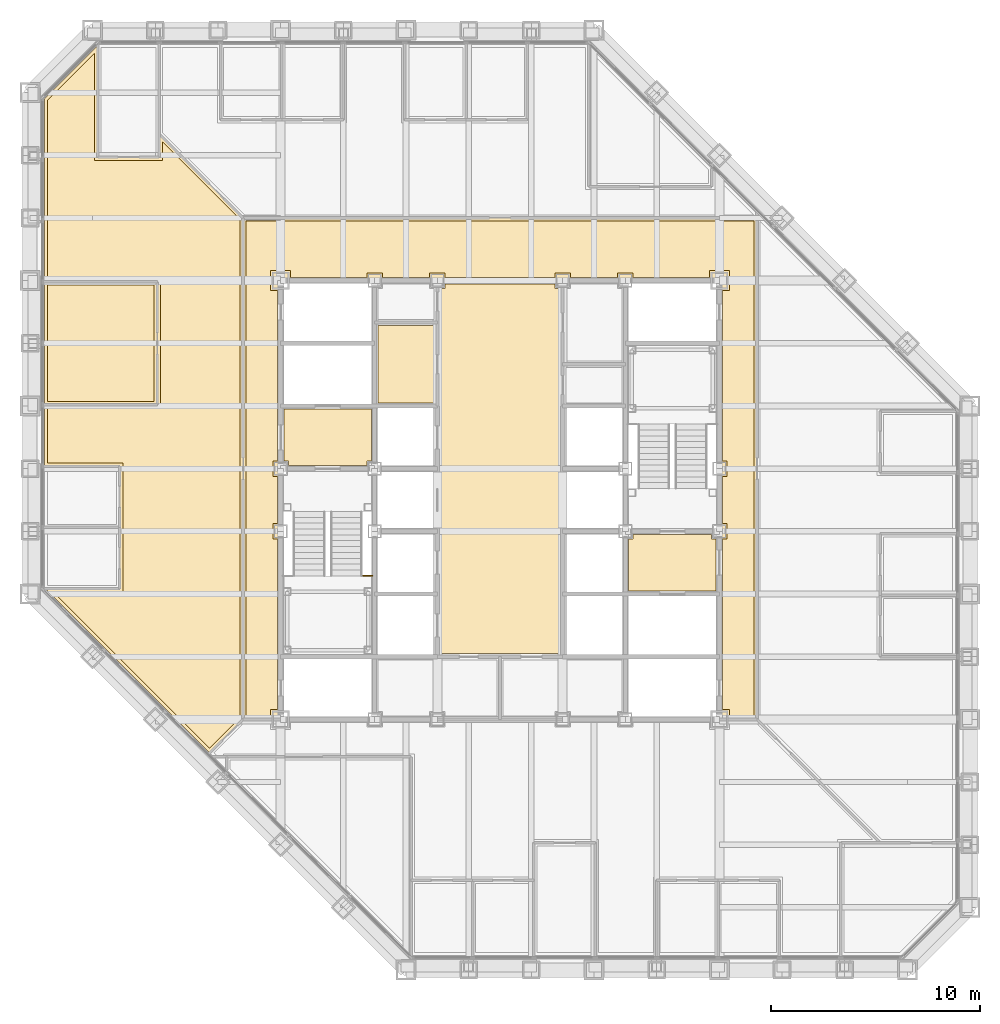
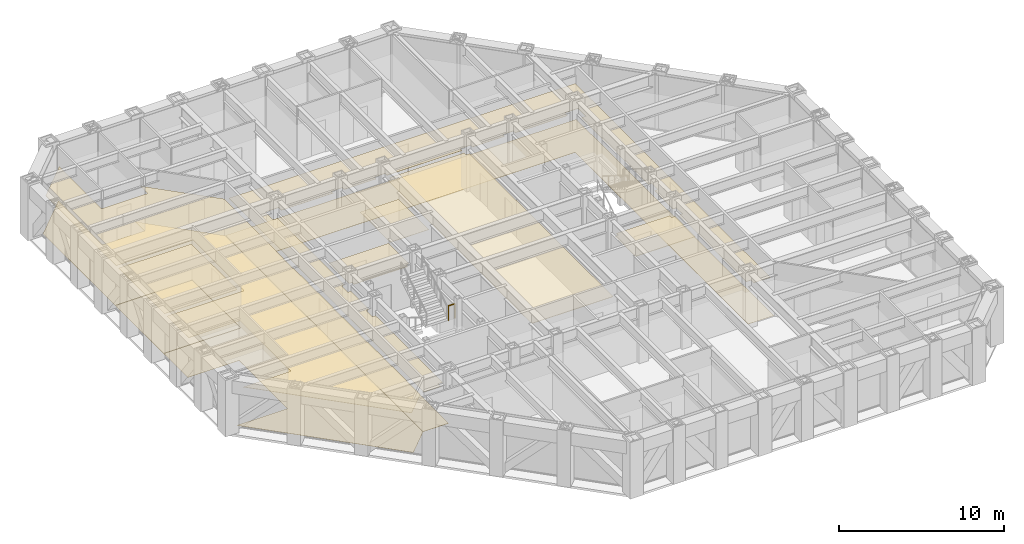
# One storey, part 15 of 17: 10 coverings, 1 railing.
"""IFC4 building model written with IfcOpenShell, lengths in metres."""

from ifc_helpers import new_model, si_unit, direction, frame, origin, origin_2d, place, context, subcontext, project, spatial, polyline, circle, outline, extrude, material, layer, layer_set, type_object, element, save


model = new_model("IFC4")

# Units and contexts
model_context = context("Model", 3, precision=1e-05, world=origin(), true_north=direction((0.0, 1.0)))
body_context = subcontext(model_context, "Body", "Model", "MODEL_VIEW")
ifc_project = project(units=[si_unit("LENGTHUNIT", "METRE"), si_unit("AREAUNIT", "SQUARE_METRE"), si_unit("VOLUMEUNIT", "CUBIC_METRE"), si_unit("PLANEANGLEUNIT", "RADIAN"), si_unit("MASSUNIT", "GRAM", prefix="KILO")], contexts=[model_context])

# Site, building, storey
site_placement = place(None, origin())
site = spatial("IfcSite", under=ifc_project, at=site_placement, CompositionType="ELEMENT")
building_placement = place(site_placement, origin())
building = spatial("IfcBuilding", under=site, at=building_placement, Name="Chuquiago Exchange Tower", CompositionType="ELEMENT")
storey_placement = place(building_placement, frame((0.0, 0.0, 169.800048828125)))
storey = spatial("IfcBuildingStorey", under=building, at=storey_placement, Name="L37", CompositionType="ELEMENT", Elevation=169.800048828125)

# Coverings
ifc_material_1 = material(Name="Mineral fibre tile, 600 x 600, on pale metal grid", Category="mineral fibre")
ifc_layer_1 = layer(ifc_material_1, 0.02001953125)
ifc_layer_set_1 = layer_set([ifc_layer_1], Name="CL1 suspended tile ceiling 20")
covering_type_1 = type_object("IfcCoveringType", Name="CL1 suspended tile ceiling 20", PredefinedType="CEILING", material=ifc_layer_set_1)
covering_1_placement = place(storey_placement, frame((0.0, 0.0, 2.800048828125)))
element("IfcCovering", 1, at=covering_1_placement, inside=storey, type_object=covering_type_1, Name="Ceiling Meeting room", PredefinedType="CEILING", context=body_context, shape_type="SweptSolid", body=[
    extrude(outline(polyline([(5.949951171875, 32.787841796875), (5.949951171875, 27.212158203125), (0.85009765625, 27.212158203125), (0.85009765625, 32.787841796875), (5.949951171875, 32.787841796875)])), origin(), (0.0, 0.0, 1.0), 0.02001953125),
])
covering_2_placement = place(storey_placement, frame((0.0, 0.0, 2.800048828125)))
element("IfcCovering", 2, at=covering_2_placement, inside=storey, type_object=covering_type_1, Name="Ceiling Circulation corridor", PredefinedType="CEILING", context=body_context, shape_type="SweptSolid", body=[
    extrude(outline(polyline([(10.35009765625, 12.14990234375), (10.35009765625, 35.85009765625), (34.64990234375, 35.85009765625), (34.64990234375, 12.14990234375), (33.47509765625, 12.14990234375), (33.47509765625, 12.47509765625), (33.14990234375, 12.47509765625), (33.14990234375, 20.625), (33.375, 20.625), (33.375, 21.375), (33.14990234375, 21.375), (33.14990234375, 23.625), (33.375, 23.625), (33.375, 24.375), (33.14990234375, 24.375), (33.14990234375, 32.52490234375), (33.47509765625, 32.52490234375), (33.47509765625, 33.47509765625), (32.52490234375, 33.47509765625), (32.52490234375, 33.14990234375), (28.875, 33.14990234375), (28.875, 33.375), (28.125, 33.375), (28.125, 33.14990234375), (25.875, 33.14990234375), (25.875, 33.375), (25.125, 33.375), (25.125, 33.14990234375), (19.875, 33.14990234375), (19.875, 33.375), (19.125, 33.375), (19.125, 33.14990234375), (16.875, 33.14990234375), (16.875, 33.375), (16.125, 33.375), (16.125, 33.14990234375), (12.47509765625, 33.14990234375), (12.47509765625, 33.47509765625), (11.52490234375, 33.47509765625), (11.52490234375, 32.52490234375), (11.85009765625, 32.52490234375), (11.85009765625, 24.375), (11.625, 24.375), (11.625, 23.625), (11.85009765625, 23.625), (11.85009765625, 21.375), (11.625, 21.375), (11.625, 20.625), (11.85009765625, 20.625), (11.85009765625, 12.47509765625), (11.52490234375, 12.47509765625), (11.52490234375, 12.14990234375), (10.35009765625, 12.14990234375)])), origin(), (0.0, 0.0, 1.0), 0.02001953125),
])
covering_3_placement = place(storey_placement, frame((0.0, 0.0, 2.800048828125)))
element("IfcCovering", 3, at=covering_3_placement, inside=storey, type_object=covering_type_1, Name="Ceiling Open office west", PredefinedType="CEILING", context=body_context, shape_type="SweptSolid", body=[
    extrude(outline(polyline([(3.098388671875, 38.75), (6.33642578125, 38.75), (6.33642578125, 39.65087890625), (10.050048828125, 35.9375), (10.050048828125, 12.0625), (8.594482421875, 10.607421875), (1.103515625, 18.098388671875), (4.449951171875, 18.098388671875), (4.449951171875, 24.2744140625), (0.85009765625, 24.2744140625), (0.85009765625, 26.912109375), (6.25, 26.912109375), (6.25, 33.087890625), (0.85009765625, 33.087890625), (0.85009765625, 41.64794921875), (3.098388671875, 43.896484375), (3.098388671875, 38.75)])), origin(), (0.0, 0.0, 1.0), 0.02001953125),
])
ifc_material_2 = material(Name="Moisture resistant plasterboard on metal frame", Category="gypsum")
ifc_layer_2 = layer(ifc_material_2, 0.014892578125)
ifc_layer_set_2 = layer_set([ifc_layer_2], Name="CL2 moisture resistant ceiling 15")
covering_type_2 = type_object("IfcCoveringType", Name="CL2 moisture resistant ceiling 15", PredefinedType="CEILING", material=ifc_layer_set_2)
covering_4_placement = place(storey_placement, frame((0.0, 0.0, 2.599853515625)))
element("IfcCovering", 4, at=covering_4_placement, inside=storey, type_object=covering_type_2, Name="Ceiling Male WC", PredefinedType="CEILING", context=body_context, shape_type="SweptSolid", body=[
    extrude(outline(polyline([(16.64990234375, 27.14990234375), (16.64990234375, 30.85009765625), (19.35009765625, 30.85009765625), (19.35009765625, 27.14990234375), (16.64990234375, 27.14990234375)])), origin(), (0.0, 0.0, 1.0), 0.01513671875),
])
ifc_material_3 = material(Name="Pale metal plank ceiling, perforated", Category="aluminium")
ifc_layer_3 = layer(ifc_material_3, 0.030029296875)
ifc_layer_set_3 = layer_set([ifc_layer_3], Name="CL3 metal plank ceiling 30")
covering_type_3 = type_object("IfcCoveringType", Name="CL3 metal plank ceiling 30", PredefinedType="CEILING", material=ifc_layer_set_3)
covering_5_placement = place(storey_placement, frame((0.0, 0.0, 2.800048828125)))
element("IfcCovering", 5, at=covering_5_placement, inside=storey, type_object=covering_type_3, Name="Ceiling Lift lobby", PredefinedType="CEILING", context=body_context, shape_type="SweptSolid", body=[
    extrude(outline(polyline([(19.64990234375, 15.14990234375), (19.64990234375, 32.625), (19.875, 32.625), (19.875, 32.85009765625), (25.125, 32.85009765625), (25.125, 32.625), (25.35009765625, 32.625), (25.35009765625, 15.14990234375), (19.64990234375, 15.14990234375)])), origin(), (0.0, 0.0, 1.0), 0.02978515625),
])
covering_6_placement = place(storey_placement, frame((0.0, 0.0, 2.800048828125)))
element("IfcCovering", 6, at=covering_6_placement, inside=storey, type_object=covering_type_3, Name="Ceiling Firefighting lobby", PredefinedType="CEILING", context=body_context, shape_type="SweptSolid", body=[
    extrude(outline(polyline([(12.375, 24.14990234375), (12.375, 24.375), (12.14990234375, 24.375), (12.14990234375, 26.85009765625), (16.35009765625, 26.85009765625), (16.35009765625, 24.375), (16.125, 24.375), (16.125, 24.14990234375), (12.375, 24.14990234375)])), origin(), (0.0, 0.0, 1.0), 0.02978515625),
])
covering_7_placement = place(storey_placement, frame((0.0, 0.0, 2.800048828125)))
element("IfcCovering", 7, at=covering_7_placement, inside=storey, type_object=covering_type_3, Name="Ceiling Firefighting lobby", PredefinedType="CEILING", context=body_context, shape_type="SweptSolid", body=[
    extrude(outline(polyline([(28.64990234375, 18.14990234375), (28.64990234375, 20.625), (28.875, 20.625), (28.875, 20.85009765625), (32.625, 20.85009765625), (32.625, 20.625), (32.85009765625, 20.625), (32.85009765625, 18.14990234375), (28.64990234375, 18.14990234375)])), origin(), (0.0, 0.0, 1.0), 0.02978515625),
])
ifc_material_4 = material(Name="Carpet tile, 500 x 500, on the floor slab", Category="textile")
ifc_layer_4 = layer(ifc_material_4, 0.010009765625)
ifc_layer_set_4 = layer_set([ifc_layer_4], Name="FL1 carpet tile 10")
covering_type_4 = type_object("IfcCoveringType", Name="FL1 carpet tile 10", PredefinedType="FLOORING", material=ifc_layer_set_4)
covering_8_placement = place(storey_placement, origin())
element("IfcCovering", 8, at=covering_8_placement, inside=storey, type_object=covering_type_4, Name="Floor finish Meeting room", PredefinedType="FLOORING", context=body_context, shape_type="SweptSolid", body=[
    extrude(outline(polyline([(0.699951171875, 32.93798828125), (6.10009765625, 32.93798828125), (6.10009765625, 27.06201171875), (0.699951171875, 27.06201171875), (0.699951171875, 32.93798828125)])), origin(), (0.0, 0.0, 1.0), 0.010009765625),
])
covering_9_placement = place(storey_placement, origin())
element("IfcCovering", 9, at=covering_9_placement, inside=storey, type_object=covering_type_4, Name="Floor finish Open office west", PredefinedType="FLOORING", context=body_context, shape_type="SweptSolid", body=[
    extrude(outline(polyline([(6.10009765625, 32.93798828125), (0.699951171875, 32.93798828125), (0.699951171875, 41.710205078125), (3.289794921875, 44.300048828125), (3.24853515625, 44.258544921875), (3.24853515625, 38.89990234375), (6.186279296875, 38.89990234375), (6.186279296875, 40.012939453125), (10.199951171875, 35.99951171875), (10.199951171875, 12.00048828125), (8.594482421875, 10.395263671875), (0.741455078125, 18.24853515625), (4.300048828125, 18.24853515625), (4.300048828125, 24.124267578125), (0.699951171875, 24.124267578125), (0.699951171875, 27.06201171875), (6.10009765625, 27.06201171875), (6.10009765625, 32.93798828125)])), origin(), (0.0, 0.0, 1.0), 0.010009765625),
])
ifc_material_5 = material(Name="Porcelain floor tile, 600 x 600, on adhesive bed", Category="ceramic")
ifc_layer_5 = layer(ifc_material_5, 0.014892578125)
ifc_layer_set_5 = layer_set([ifc_layer_5], Name="FL2 porcelain tile 15")
covering_type_5 = type_object("IfcCoveringType", Name="FL2 porcelain tile 15", PredefinedType="FLOORING", material=ifc_layer_set_5)
covering_10_placement = place(storey_placement, origin())
element("IfcCovering", 10, at=covering_10_placement, inside=storey, type_object=covering_type_5, Name="Floor finish Circulation corridor", PredefinedType="FLOORING", context=body_context, shape_type="SweptSolid", body=[
    extrude(outline(polyline([(12.0, 12.0), (10.199951171875, 12.0), (10.199951171875, 36.0), (34.800048828125, 36.0), (34.800048828125, 12.0), (33.0, 12.0), (33.0, 33.0), (12.0, 33.0), (12.0, 12.0)])), origin(), (0.0, 0.0, 1.0), 0.014892578125),
])

# Railing
ifc_material_6 = material(Name="Pale metal guard with safety glass infill", Category="glass")
railing_type = type_object("IfcRailingType", Name="GR1 guard 1100", PredefinedType="GUARDRAIL", material=ifc_material_6)
railing_placement = place(storey_placement, frame((15.945068359375, 18.8701171875, 2.099853515625)))
element("IfcRailing", 11, at=railing_placement, inside=storey, type_object=railing_type, Name="Guard ST1 L37 landing 2", PredefinedType="GUARDRAIL", context=body_context, shape_type="SweptSolid", body=[
    extrude(circle(Radius=0.02392578125, at=origin_2d()), frame((0.0, 0.0, 1.076171875), z_axis=(1.0, 0.0, 0.0), x_axis=(0.0, 1.0, 0.0)), (0.0, 0.0, 1.0), 0.454833984375),
    extrude(circle(Radius=0.02099609375, at=origin_2d()), origin(), (0.0, 0.0, 1.0), 1.052001953125),
    extrude(circle(Radius=0.02099609375, at=origin_2d()), frame((0.454833984375, 0.0, 0.0)), (0.0, 0.0, 1.0), 1.052001953125),
])

save(model, "model.ifc")
